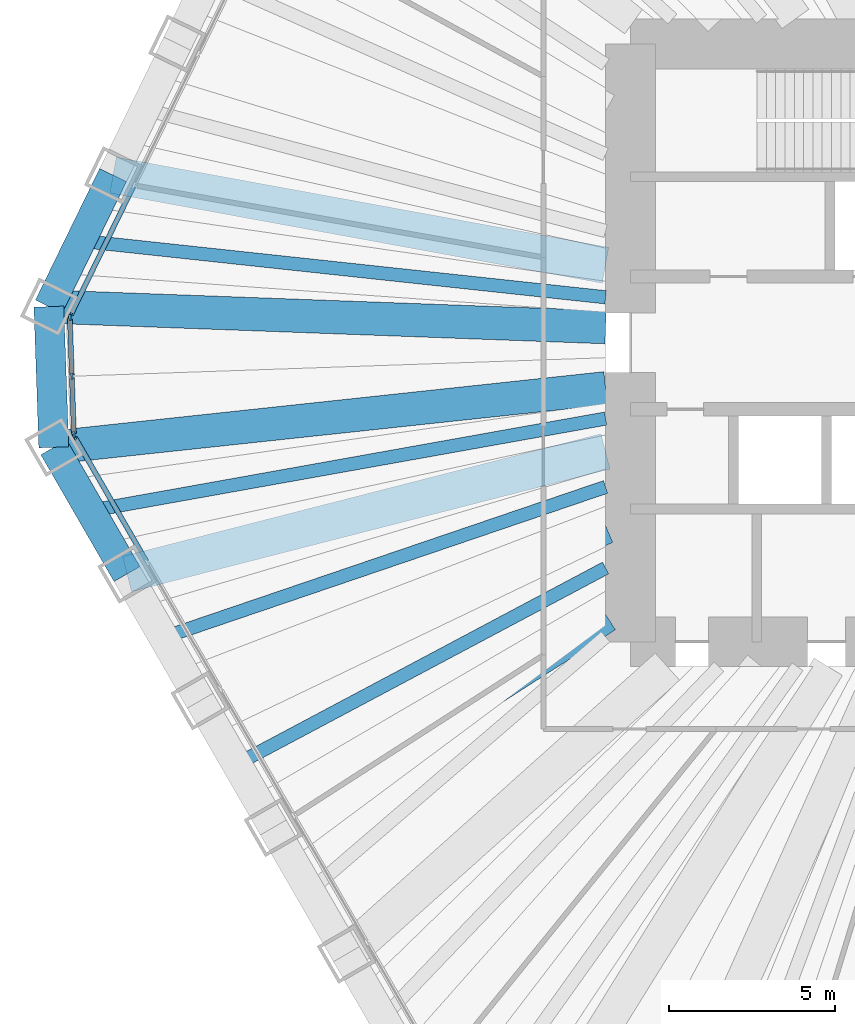
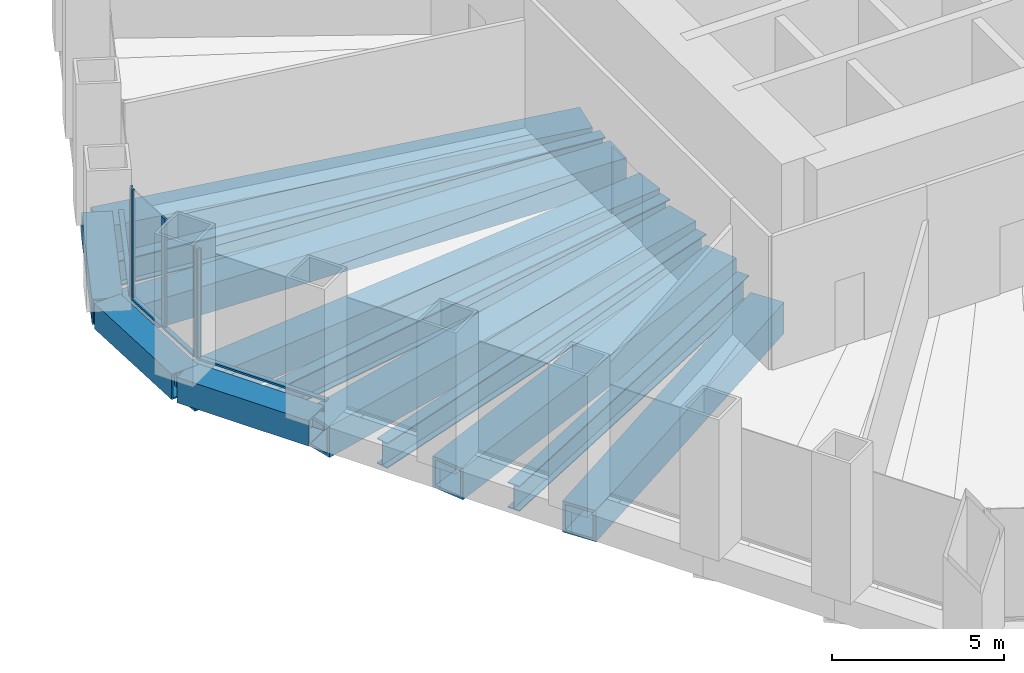
# One storey, part 3 of 13: 13 beams, 9 members, 3 elements without a shape of their own.
"""IFC4 building model written with IfcOpenShell, lengths in metres."""

from ifc_helpers import new_model, si_unit, direction, frame, origin, origin_2d, place, context, subcontext, project, spatial, rectangle, hollow_rectangle, i_section, extrude, material, material_profile, profile_set, type_object, element, aggregate, save


model = new_model("IFC4")

# Units and contexts
model_context = context("Model", 3, precision=1e-05, world=origin(), true_north=direction((0.0, 1.0)))
body_context = subcontext(model_context, "Body", "Model", "MODEL_VIEW")
ifc_project = project(units=[si_unit("LENGTHUNIT", "METRE"), si_unit("AREAUNIT", "SQUARE_METRE"), si_unit("VOLUMEUNIT", "CUBIC_METRE"), si_unit("PLANEANGLEUNIT", "RADIAN"), si_unit("MASSUNIT", "GRAM", prefix="KILO")], contexts=[model_context])

# Site, building, storey
site_placement = place(None, origin())
site = spatial("IfcSite", under=ifc_project, at=site_placement, CompositionType="ELEMENT")
building_placement = place(site_placement, origin())
building = spatial("IfcBuilding", under=site, at=building_placement, Name="Qingtian Harvest Tower", CompositionType="ELEMENT")
storey_placement = place(building_placement, frame((0.0, 0.0, 92.0)))
storey = spatial("IfcBuildingStorey", under=building, at=storey_placement, Name="L18", CompositionType="ELEMENT", Elevation=92.0)

# Beams
ifc_material_1 = material(Name="Steel SN490B", Category="steel")
ifc_material_profile_1 = material_profile(ifc_material_1, i_section(OverallWidth=0.39990234375, OverallDepth=0.89990234375, WebThickness=0.01904296875, FlangeThickness=0.035888671875, at=origin_2d()), Name="H900x400x19x36")
ifc_profile_set_1 = profile_set([ifc_material_profile_1], Name="Steel SN490B")
beam_type_1 = type_object("IfcBeamType", Name="Floor joist J4 H900x400x19x36", PredefinedType="JOIST", material=ifc_profile_set_1)
beam_1_placement = place(storey_placement, frame((-23.85498046875, -12.681884765625, -0.64990234375), z_axis=(0.882982474604, 0.469405953885, 0.0), x_axis=(-0.469405953885, 0.882982474604, 0.0)))
element("IfcBeam", 1, at=beam_1_placement, inside=storey, type_object=beam_type_1, Name="Floor joist J4 SW3", PredefinedType="JOIST", context=body_context, shape_type="SweptSolid", body=[
    extrude(i_section(OverallWidth=0.39990234375, OverallDepth=0.89990234375, WebThickness=0.01904296875, FlangeThickness=0.035888671875, at=origin_2d()), origin(), (0.0, 0.0, 1.0), 12.57666015625),
])
beam_2_placement = place(storey_placement, frame((-26.057373046875, -8.867431640625, -0.64990234375), z_axis=(0.946684735425, 0.322161468387, 0.0), x_axis=(-0.322161468387, 0.946684735425, 0.0)))
element("IfcBeam", 2, at=beam_2_placement, inside=storey, type_object=beam_type_1, Name="Floor joist J4 SW4", PredefinedType="JOIST", context=body_context, shape_type="SweptSolid", body=[
    extrude(i_section(OverallWidth=0.39990234375, OverallDepth=0.89990234375, WebThickness=0.01904296875, FlangeThickness=0.035888671875, at=origin_2d()), origin(), (0.0, 0.0, 1.0), 14.056884765625),
])
beam_3_placement = place(storey_placement, frame((-28.259521484375, -5.052978515625, -0.64990234375), z_axis=(0.984387614034, 0.176014275943, 0.0), x_axis=(-0.176014275943, 0.984387614034, 0.0)))
element("IfcBeam", 3, at=beam_3_placement, inside=storey, type_object=beam_type_1, Name="Floor joist J4 SW5", PredefinedType="JOIST", context=body_context, shape_type="SweptSolid", body=[
    extrude(i_section(OverallWidth=0.39990234375, OverallDepth=0.89990234375, WebThickness=0.01904296875, FlangeThickness=0.035888671875, at=origin_2d()), origin(), (0.0, 0.0, 1.0), 15.755615234375),
])
beam_4_placement = place(storey_placement, frame((-28.543212890625, 3.0693359375, -0.64990234375), z_axis=(0.994268320665, -0.106913546948, 0.0), x_axis=(0.106913546948, 0.994268320665, 0.0)))
element("IfcBeam", 4, at=beam_4_placement, inside=storey, type_object=beam_type_1, Name="Floor joist J4 NW0", PredefinedType="JOIST", context=body_context, shape_type="SweptSolid", body=[
    extrude(i_section(OverallWidth=0.39990234375, OverallDepth=0.89990234375, WebThickness=0.01904296875, FlangeThickness=0.035888671875, at=origin_2d()), origin(), (0.0, 0.0, 1.0), 15.88427734375),
])

# Curtain wall, member
ifc_material_2 = material(Name="Bronze-anodised aluminium curtain wall", Category="aluminium")
curtain_wall_type = type_object("IfcCurtainWallType", Name="Curtain wall CW2 farm reception", PredefinedType="USERDEFINED", material=ifc_material_2)
curtain_wall_1_placement = place(storey_placement, origin())
curtain_wall_1 = element("IfcCurtainWall", 5, at=curtain_wall_1_placement, inside=storey, type_object=curtain_wall_type, Name="Curtain wall CW2 L18 SW0-5", ObjectType="RECESSED CURTAIN WALL", PredefinedType="USERDEFINED")
ifc_material_3 = material(Name="Bronze-anodised aluminium mullion", Category="aluminium")
ifc_material_profile_2 = material_profile(ifc_material_3, rectangle(XDim=0.06494140625, YDim=0.199951171875, at=origin_2d()), Name="AL 65x200")
ifc_profile_set_2 = profile_set([ifc_material_profile_2], Name="Bronze-anodised aluminium mullion")
member_type_1 = type_object("IfcMemberType", Name="Mullion CWM 65x200", PredefinedType="MULLION", material=ifc_profile_set_2)
member_1_placement = place(storey_placement, frame((-28.73828125, -2.82373046875, 0.0), z_axis=(0.0, 0.0, 1.0), x_axis=(-0.866025403784, -0.5, 0.0)))
member_1 = element("IfcMember", 6, at=member_1_placement, type_object=member_type_1, Name="CW2 mullion 7", PredefinedType="MULLION", context=body_context, shape_type="SweptSolid", body=[
    extrude(rectangle(XDim=0.06494140625, YDim=0.199951171875, at=origin_2d()), origin(), (0.0, 0.0, 1.0), 3.89990234375),
])

# Curtain wall, members
curtain_wall_2_placement = place(storey_placement, origin())
curtain_wall_2 = element("IfcCurtainWall", 7, at=curtain_wall_2_placement, inside=storey, type_object=curtain_wall_type, Name="Curtain wall CW2 L18 SWC", ObjectType="RECESSED CURTAIN WALL", PredefinedType="USERDEFINED")
member_2_placement = place(storey_placement, frame((-28.755615234375, -2.76318359375, 0.0), z_axis=(0.0, 0.0, 1.0), x_axis=(-0.999390827019, -0.034899496703, 0.0)))
member_2 = element("IfcMember", 8, at=member_2_placement, type_object=member_type_1, Name="CW2 mullion 1", PredefinedType="MULLION", context=body_context, shape_type="SweptSolid", body=[
    extrude(rectangle(XDim=0.06494140625, YDim=0.199951171875, at=origin_2d()), origin(), (0.0, 0.0, 1.0), 3.89990234375),
])
member_3_placement = place(storey_placement, frame((-28.817138671875, -1.00634765625, 0.0), z_axis=(0.0, 0.0, 1.0), x_axis=(-0.999390827019, -0.034899496703, 0.0)))
member_3 = element("IfcMember", 9, at=member_3_placement, type_object=member_type_1, Name="CW2 mullion 2", PredefinedType="MULLION", context=body_context, shape_type="SweptSolid", body=[
    extrude(rectangle(XDim=0.06494140625, YDim=0.199951171875, at=origin_2d()), origin(), (0.0, 0.0, 1.0), 3.89990234375),
])
member_4_placement = place(storey_placement, frame((-28.87841796875, 0.75048828125, 0.0), z_axis=(0.0, 0.0, 1.0), x_axis=(-0.999390827019, -0.034899496703, 0.0)))
member_4 = element("IfcMember", 10, at=member_4_placement, type_object=member_type_1, Name="CW2 mullion 3", PredefinedType="MULLION", context=body_context, shape_type="SweptSolid", body=[
    extrude(rectangle(XDim=0.06494140625, YDim=0.199951171875, at=origin_2d()), origin(), (0.0, 0.0, 1.0), 3.89990234375),
])

# Curtain wall, member
curtain_wall_3_placement = place(storey_placement, origin())
curtain_wall_3 = element("IfcCurtainWall", 11, at=curtain_wall_3_placement, inside=storey, type_object=curtain_wall_type, Name="Curtain wall CW2 L18 NW0-5", ObjectType="RECESSED CURTAIN WALL", PredefinedType="USERDEFINED")
member_5_placement = place(storey_placement, frame((-28.865234375, 0.812255859375, 0.0), z_axis=(0.0, 0.0, 1.0), x_axis=(-0.898794046299, 0.438371146789, 0.0)))
member_5 = element("IfcMember", 12, at=member_5_placement, type_object=member_type_1, Name="CW2 mullion 1", PredefinedType="MULLION", context=body_context, shape_type="SweptSolid", body=[
    extrude(rectangle(XDim=0.06494140625, YDim=0.199951171875, at=origin_2d()), origin(), (0.0, 0.0, 1.0), 3.89990234375),
])

# Beams
ifc_material_4 = material(Name="Steel SM570MC", Category="steel")
ifc_material_profile_3 = material_profile(ifc_material_4, hollow_rectangle(XDim=1.0, YDim=1.0, WallThickness=0.080078125, at=origin_2d()), Name="BOX1000x1000x80")
ifc_profile_set_3 = profile_set([ifc_material_profile_3], Name="Steel SM570MC")
beam_type_2 = type_object("IfcBeamType", Name="Transfer corner beam FB11 BOX1000x1000x80", PredefinedType="BEAM", material=ifc_profile_set_3)
beam_5_placement = place(storey_placement, frame((-29.36083984375, -3.145751953125, -0.699951171875), z_axis=(0.994308822197, 0.106536219669, 0.0), x_axis=(-0.106536219669, 0.994308822197, 0.0)))
element("IfcBeam", 13, at=beam_5_placement, inside=storey, type_object=beam_type_2, Name="Floor beam FB11 SW6", PredefinedType="BEAM", context=body_context, shape_type="SweptSolid", body=[
    extrude(hollow_rectangle(XDim=1.0, YDim=1.0, WallThickness=0.080078125, at=origin_2d()), origin(), (0.0, 0.0, 1.0), 16.705810546875),
])
beam_6_placement = place(storey_placement, frame((-29.5087890625, 1.08984375, -0.699951171875), z_axis=(0.999318796571, -0.036904509488, 0.0), x_axis=(0.036904509488, 0.999318796571, 0.0)))
element("IfcBeam", 14, at=beam_6_placement, inside=storey, type_object=beam_type_2, Name="Floor beam FB11 NW0", PredefinedType="BEAM", context=body_context, shape_type="SweptSolid", body=[
    extrude(hollow_rectangle(XDim=1.0, YDim=1.0, WallThickness=0.080078125, at=origin_2d()), origin(), (0.0, 0.0, 1.0), 16.770263671875),
])
ifc_material_5 = material(Name="Steel SM570MC", Category="steel")
ifc_material_profile_4 = material_profile(ifc_material_5, hollow_rectangle(XDim=1.10009765625, YDim=1.10009765625, WallThickness=0.10009765625, at=origin_2d()), Name="BOX1100x1100x100")
ifc_profile_set_4 = profile_set([ifc_material_profile_4], Name="Steel SM570MC")
beam_type_3 = type_object("IfcBeamType", Name="Transfer floor beam FB9 BOX1100x1100x100", PredefinedType="BEAM", material=ifc_profile_set_4)
beam_7_placement = place(storey_placement, frame((-22.75390625, -14.589111328125, -0.75), z_axis=(0.841829353865, 0.539743771591, 0.0), x_axis=(-0.539743771591, 0.841829353865, 0.0)))
element("IfcBeam", 15, at=beam_7_placement, inside=storey, type_object=beam_type_3, Name="Floor beam FB9 SW3", PredefinedType="BEAM", context=body_context, shape_type="SweptSolid", body=[
    extrude(hollow_rectangle(XDim=1.10009765625, YDim=1.10009765625, WallThickness=0.10009765625, at=origin_2d()), origin(), (0.0, 0.0, 1.0), 11.883544921875),
])
beam_8_placement = place(storey_placement, frame((-24.9560546875, -10.774658203125, -0.75), z_axis=(0.918083617325, 0.396386770213, 0.0), x_axis=(-0.396386770213, 0.918083617325, 0.0)))
element("IfcBeam", 16, at=beam_8_placement, inside=storey, type_object=beam_type_3, Name="Floor beam FB9 SW4", PredefinedType="BEAM", context=body_context, shape_type="SweptSolid", body=[
    extrude(hollow_rectangle(XDim=1.10009765625, YDim=1.10009765625, WallThickness=0.10009765625, at=origin_2d()), origin(), (0.0, 0.0, 1.0), 13.295166015625),
])
beam_9_placement = place(storey_placement, frame((-27.158447265625, -6.960205078125, -0.75), z_axis=(0.968693729942, 0.248258851947, 0.0), x_axis=(-0.248258851947, 0.968693729942, 0.0)))
element("IfcBeam", 17, at=beam_9_placement, inside=storey, type_object=beam_type_3, Name="Floor beam FB9 SW5", PredefinedType="BEAM", context=body_context, shape_type="SweptSolid", body=[
    extrude(hollow_rectangle(XDim=1.10009765625, YDim=1.10009765625, WallThickness=0.10009765625, at=origin_2d()), origin(), (0.0, 0.0, 1.0), 14.8740234375),
])
beam_10_placement = place(storey_placement, frame((-27.577880859375, 5.048828125, -0.75), z_axis=(0.98365177106, -0.180081074215, 0.0), x_axis=(0.180081074215, 0.98365177106, 0.0)))
element("IfcBeam", 18, at=beam_10_placement, inside=storey, type_object=beam_type_3, Name="Floor beam FB9 NW1", PredefinedType="BEAM", context=body_context, shape_type="SweptSolid", body=[
    extrude(hollow_rectangle(XDim=1.10009765625, YDim=1.10009765625, WallThickness=0.10009765625, at=origin_2d()), origin(), (0.0, 0.0, 1.0), 15.07421875),
])
ifc_material_6 = material(Name="Steel SM570MC", Category="steel")
ifc_material_profile_5 = material_profile(ifc_material_6, hollow_rectangle(XDim=0.89990234375, YDim=0.89990234375, WallThickness=0.050048828125, at=origin_2d()), Name="BOX900x900x50")
ifc_profile_set_5 = profile_set([ifc_material_profile_5], Name="Steel SM570MC")
beam_type_4 = type_object("IfcBeamType", Name="Transition spandrel SB6 BOX900x900x50", PredefinedType="SPANDREL", material=ifc_profile_set_5)
beam_11_placement = place(storey_placement, frame((-27.158447265625, -6.960205078125, -0.449951171875), z_axis=(-0.50001992892, 0.866013897511, 0.0), x_axis=(-0.866013897511, -0.50001992892, 0.0)))
element("IfcBeam", 19, at=beam_11_placement, inside=storey, type_object=beam_type_4, Name="Spandrel SB6 SW5", PredefinedType="SPANDREL", context=body_context, shape_type="SweptSolid", body=[
    extrude(hollow_rectangle(XDim=0.89990234375, YDim=0.89990234375, WallThickness=0.050048828125, at=origin_2d()), origin(), (0.0, 0.0, 1.0), 4.404541015625),
])
beam_12_placement = place(storey_placement, frame((-29.36083984375, -3.145751953125, -0.449951171875), z_axis=(-0.034908677553, 0.999390506375, 0.0), x_axis=(-0.999390506375, -0.034908677553, 0.0)))
element("IfcBeam", 20, at=beam_12_placement, inside=storey, type_object=beam_type_4, Name="Spandrel SB6 SWC", PredefinedType="SPANDREL", context=body_context, shape_type="SweptSolid", body=[
    extrude(hollow_rectangle(XDim=0.89990234375, YDim=0.89990234375, WallThickness=0.050048828125, at=origin_2d()), origin(), (0.0, 0.0, 1.0), 4.23828125),
])
beam_13_placement = place(storey_placement, frame((-29.5087890625, 1.08984375, -0.449951171875), z_axis=(0.438367938366, 0.898795611145, 0.0), x_axis=(-0.898795611145, 0.438367938366, 0.0)))
element("IfcBeam", 21, at=beam_13_placement, inside=storey, type_object=beam_type_4, Name="Spandrel SB6 NW0", PredefinedType="SPANDREL", context=body_context, shape_type="SweptSolid", body=[
    extrude(hollow_rectangle(XDim=0.89990234375, YDim=0.89990234375, WallThickness=0.050048828125, at=origin_2d()), origin(), (0.0, 0.0, 1.0), 4.40478515625),
])

# Member
ifc_material_7 = material(Name="Bronze-anodised aluminium transom", Category="aluminium")
ifc_material_profile_6 = material_profile(ifc_material_7, rectangle(XDim=0.14990234375, YDim=0.06494140625, at=origin_2d()), Name="AL 65x150")
ifc_profile_set_6 = profile_set([ifc_material_profile_6], Name="Bronze-anodised aluminium transom")
member_type_2 = type_object("IfcMemberType", Name="Transom CWT 65x150", PredefinedType="USERDEFINED", material=ifc_profile_set_6)
member_6_placement = place(storey_placement, frame((-26.568603515625, -6.58203125, 0.032470703125), z_axis=(-0.499967798808, 0.866043994353, 0.0), x_axis=(-0.866043994353, -0.499967798808, 0.0)))
member_6 = element("IfcMember", 22, at=member_6_placement, type_object=member_type_2, Name="CW2 transom 6.1", ObjectType="TRANSOM", PredefinedType="USERDEFINED", context=body_context, shape_type="SweptSolid", body=[
    extrude(rectangle(XDim=0.14990234375, YDim=0.06494140625, at=origin_2d()), origin(), (0.0, 0.0, 1.0), 4.306884765625),
])

aggregate(curtain_wall_1, [member_1, member_6])

member_7_placement = place(storey_placement, frame((-28.7568359375, -2.730712890625, 0.032470703125), z_axis=(-0.034899362377, 0.99939083171, 0.0), x_axis=(-0.99939083171, -0.034899362377, 0.0)))
member_7 = element("IfcMember", 23, at=member_7_placement, type_object=member_type_2, Name="CW2 transom 1.1", ObjectType="TRANSOM", PredefinedType="USERDEFINED", context=body_context, shape_type="SweptSolid", body=[
    extrude(rectangle(XDim=0.14990234375, YDim=0.06494140625, at=origin_2d()), origin(), (0.0, 0.0, 1.0), 1.69287109375),
])

member_8_placement = place(storey_placement, frame((-28.818115234375, -0.973876953125, 0.032470703125), z_axis=(-0.034899362377, 0.99939083171, 0.0), x_axis=(-0.99939083171, -0.034899362377, 0.0)))
member_8 = element("IfcMember", 24, at=member_8_placement, type_object=member_type_2, Name="CW2 transom 2.1", ObjectType="TRANSOM", PredefinedType="USERDEFINED", context=body_context, shape_type="SweptSolid", body=[
    extrude(rectangle(XDim=0.14990234375, YDim=0.06494140625, at=origin_2d()), origin(), (0.0, 0.0, 1.0), 1.69287109375),
])

aggregate(curtain_wall_2, [member_2, member_3, member_4, member_7, member_8])

member_9_placement = place(storey_placement, frame((-28.85107421875, 0.841552734375, 0.032470703125), z_axis=(0.438394595167, 0.898782609383, 0.0), x_axis=(-0.898782609383, 0.438394595167, 0.0)))
member_9 = element("IfcMember", 25, at=member_9_placement, type_object=member_type_2, Name="CW2 transom 1.1", ObjectType="TRANSOM", PredefinedType="USERDEFINED", context=body_context, shape_type="SweptSolid", body=[
    extrude(rectangle(XDim=0.14990234375, YDim=0.06494140625, at=origin_2d()), origin(), (0.0, 0.0, 1.0), 4.30712890625),
])

aggregate(curtain_wall_3, [member_5, member_9])

save(model, "model.ifc")
